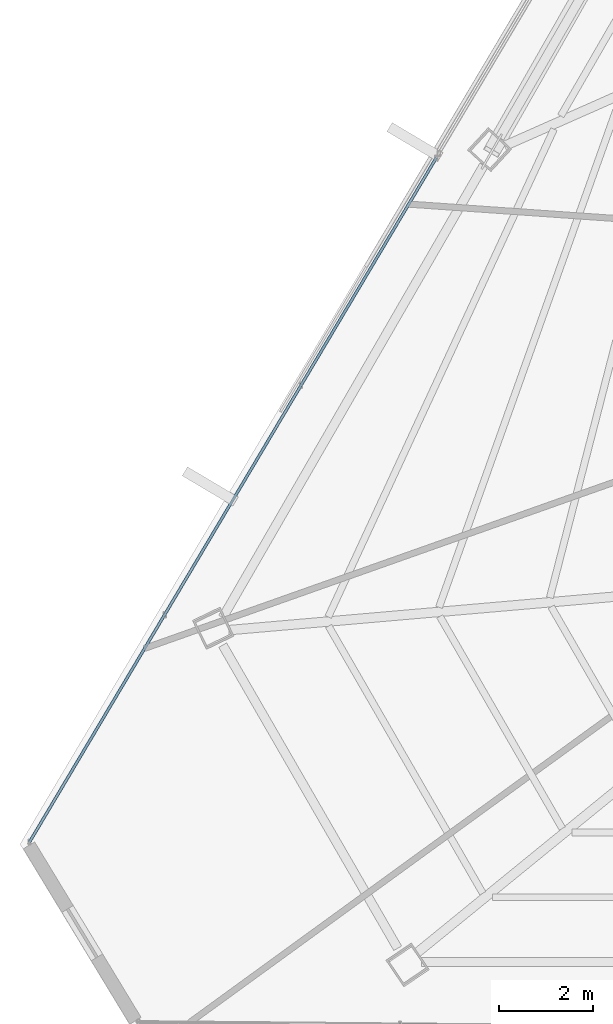
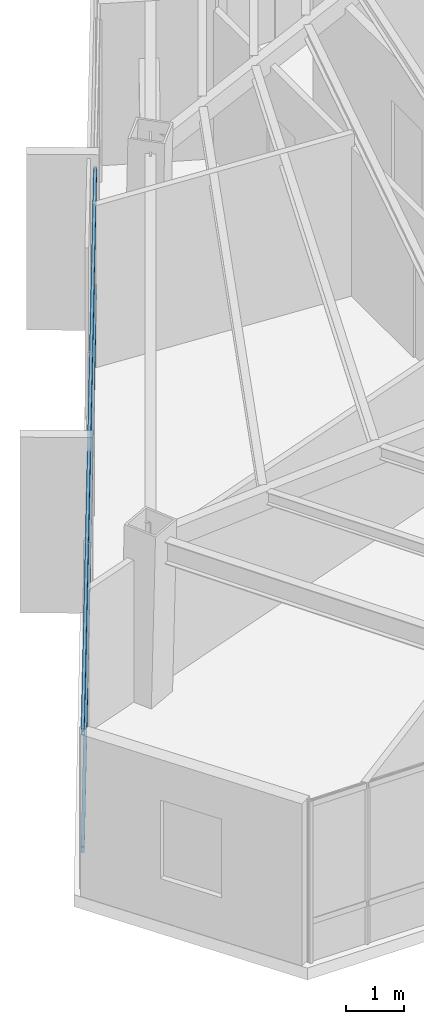
# One storey, part 8 of 42: 2 members, 1 element without a shape of its own.
"""IFC4 building model written with IfcOpenShell, lengths in metres."""

import ifcopenshell
import ifcopenshell.guid

model = None  # the IFC model being written
_history = None  # IfcOwnerHistory: only IFC2X3 demands one
_inside = {}  # id of a spatial element -> (the spatial element, [elements in it])
_under = {}  # id of a project, library or spatial element -> (it, [spatial elements below it])
_declared = {}  # id of a project -> (the project, [libraries it declares])
_typed = {}  # id of a type object -> (the type object, [elements of that type])
_made_of = {}  # id of a material, layer set ... -> (it, [elements and type objects made of it])


def new_model(schema):
    """Start an empty IFC model of exactly this schema.

    Asked for "IFC4X3", IfcOpenShell would pick the latest addendum, in which some entities
    have other attributes; the version numbers below select the first issue.
    IFC2X3 requires an IfcOwnerHistory on every rooted entity: one is made here for all.
    """
    global model, _history
    if schema == "IFC4X3":
        model = ifcopenshell.file(schema_version=(4, 3, 0, 0))
    else:
        model = ifcopenshell.file(schema=schema)
    _inside.clear()
    _under.clear()
    _declared.clear()
    _typed.clear()
    _made_of.clear()
    _history = None
    if model.schema == "IFC2X3":
        org = make("IfcOrganization", Name="unknown")
        user = make(
            "IfcPersonAndOrganization",
            ThePerson=make("IfcPerson", FamilyName="unknown"),
            TheOrganization=org,
        )
        app = make(
            "IfcApplication",
            ApplicationDeveloper=org,
            Version="unknown",
            ApplicationFullName="unknown",
            ApplicationIdentifier="unknown",
        )
        _history = make(
            "IfcOwnerHistory",
            OwningUser=user,
            OwningApplication=app,
            ChangeAction="ADDED",
            CreationDate=0,
        )
    return model


def make(cls, **values):
    """One entity of the class cls with the attributes given. An attribute that is None is left unset."""
    return model.create_entity(
        cls, **{name: value for name, value in values.items() if value is not None}
    )


def rooted(cls, **values):
    """An entity with a GlobalId (a new one), such as an element, a storey or a relation."""
    return make(cls, GlobalId=ifcopenshell.guid.new(), OwnerHistory=_history, **values)


def si_unit(unit_type, name, prefix=None):
    """IfcSIUnit, for example si_unit("LENGTHUNIT", "METRE", prefix="MILLI")."""
    return make("IfcSIUnit", UnitType=unit_type, Prefix=prefix, Name=name)


def assignment(units):
    """IfcUnitAssignment: the units of a project."""
    return None if units is None else make("IfcUnitAssignment", Units=units)


def point(xyz):
    """IfcCartesianPoint."""
    return None if xyz is None else make("IfcCartesianPoint", Coordinates=xyz)


def direction(xyz):
    """IfcDirection."""
    return None if xyz is None else make("IfcDirection", DirectionRatios=xyz)


def frame(location, z_axis=None, x_axis=None):
    """IfcAxis2Placement3D, a coordinate frame: its origin and axes. An axis left out is left unset."""
    return make(
        "IfcAxis2Placement3D",
        Location=point(location),
        Axis=direction(z_axis),
        RefDirection=direction(x_axis),
    )


def frame_2d(location, x_axis=None):
    """IfcAxis2Placement2D, a coordinate frame in the plane: its origin and x axis."""
    return make(
        "IfcAxis2Placement2D", Location=point(location), RefDirection=direction(x_axis)
    )


def origin():
    """The frame at (0, 0, 0) with its axes left unset."""
    return frame((0.0, 0.0, 0.0))


def origin_2d():
    """The frame at (0, 0) in the plane with its x axis left unset."""
    return frame_2d((0.0, 0.0))


def place(relative_to, where):
    """IfcLocalPlacement: puts the frame where relative to a parent placement (None: the world)."""
    return make(
        "IfcLocalPlacement", PlacementRelTo=relative_to, RelativePlacement=where
    )


def context(
    kind, dimensions, precision=None, world=None, true_north=None, identifier=None
):
    """IfcGeometricRepresentationContext, for example the 3D "Model" context."""
    return make(
        "IfcGeometricRepresentationContext",
        ContextIdentifier=identifier,
        ContextType=kind,
        CoordinateSpaceDimension=dimensions,
        Precision=precision,
        WorldCoordinateSystem=world,
        TrueNorth=true_north,
    )


def subcontext(parent, identifier, kind, view, scale=None):
    """IfcGeometricRepresentationSubContext, for example "Body" below "Model"."""
    return make(
        "IfcGeometricRepresentationSubContext",
        ContextIdentifier=identifier,
        ContextType=kind,
        ParentContext=parent,
        TargetScale=scale,
        TargetView=view,
    )


def project(units=None, contexts=None):
    """IfcProject with its units and contexts."""
    return rooted(
        "IfcProject",
        Name="project",
        RepresentationContexts=contexts,
        UnitsInContext=assignment(units),
    )


def spatial(cls, under=None, at=None, **own):
    """A site, building, storey or space (cls), placed at a placement, below another one or the project."""
    s = rooted(cls, ObjectPlacement=at, **own)
    if under is not None:
        _under.setdefault(under.id(), (under, []))[1].append(s)
    return s


def profile(cls, at=None, kind="AREA", **sizes):
    """A parametric profile (cls). Its sizes go by their IFC names, for example OverallWidth=200.0."""
    return make(cls, ProfileType=kind, Position=at, **sizes)


def hollow_rectangle(**sizes):
    """IfcRectangleHollowProfileDef."""
    return profile("IfcRectangleHollowProfileDef", **sizes)


def extrude(swept, where, along, depth):
    """IfcExtrudedAreaSolid: the profile swept, set in the frame where, extruded along a direction by depth."""
    return make(
        "IfcExtrudedAreaSolid",
        SweptArea=swept,
        Position=where,
        ExtrudedDirection=direction(along),
        Depth=depth,
    )


def shape(context_of_items, identifier, shape_type, items):
    """IfcShapeRepresentation: the items that make up one representation, for example the "Body"."""
    return make(
        "IfcShapeRepresentation",
        ContextOfItems=context_of_items,
        RepresentationIdentifier=identifier,
        RepresentationType=shape_type,
        Items=items,
    )


def source(mapping_origin, context_of_items, identifier, shape_type, items):
    """IfcRepresentationMap: a shape defined once, which mapped items show again and again."""
    return make(
        "IfcRepresentationMap",
        MappingOrigin=mapping_origin,
        MappedRepresentation=shape(context_of_items, identifier, shape_type, items),
    )


def transform(
    local_origin,
    x_axis=None,
    y_axis=None,
    z_axis=None,
    scale=None,
    scale2=None,
    scale3=None,
    uniform=True,
):
    """IfcCartesianTransformationOperator3D, or its non-uniform kind. x_axis, y_axis, z_axis: its Axis1, 2, 3."""
    if uniform:
        return make(
            "IfcCartesianTransformationOperator3D",
            Axis1=direction(x_axis),
            Axis2=direction(y_axis),
            LocalOrigin=point(local_origin),
            Scale=scale,
            Axis3=direction(z_axis),
        )
    return make(
        "IfcCartesianTransformationOperator3DnonUniform",
        Axis1=direction(x_axis),
        Axis2=direction(y_axis),
        LocalOrigin=point(local_origin),
        Scale=scale,
        Axis3=direction(z_axis),
        Scale2=scale2,
        Scale3=scale3,
    )


def mapped(mapping_source, mapping_target):
    """IfcMappedItem: shows the shape of a source again, moved by a transform."""
    return make(
        "IfcMappedItem", MappingSource=mapping_source, MappingTarget=mapping_target
    )


def material(Name=None, Category=None):
    """IfcMaterial."""
    return make("IfcMaterial", Name=Name, Category=Category)


def material_profile(
    of_material, cross_section, Name=None, Category=None, Priority=None
):
    """IfcMaterialProfile: a cross section and its material."""
    return make(
        "IfcMaterialProfile",
        Name=Name,
        Material=of_material,
        Profile=cross_section,
        Priority=Priority,
        Category=Category,
    )


def profile_set(profiles, Name=None, composite=None):
    """IfcMaterialProfileSet."""
    return make(
        "IfcMaterialProfileSet",
        Name=Name,
        MaterialProfiles=profiles,
        CompositeProfile=composite,
    )


def made_of(thing, what):
    """Note that an element or type object is made of a material, layer set ...; save() writes the relation."""
    if what is not None:
        _made_of.setdefault(what.id(), (what, []))[1].append(thing)
    return thing


def type_object(cls, material=None, **own):
    """A type object (cls), such as IfcWallType, which elements share."""
    return made_of(rooted(cls, **own), material)


def type_shapes(of_type, sources):
    """Give a type object the sources (RepresentationMaps) that its elements show as mapped items."""
    of_type.RepresentationMaps = sources


def element(
    cls,
    number,
    at=None,
    inside=None,
    cuts=None,
    type_object=None,
    material=None,
    context=None,
    identifier="Body",
    shape_type=None,
    held_by="IfcProductDefinitionShape",
    body=None,
    shapes=None,
    **own,
):
    """One element of the class cls, such as IfcWall. Its Tag is "e" and its number.

    at: its placement. inside: the storey or other place that contains it. cuts: it is an
    opening in that element (IfcRelVoidsElement). A single representation is given by context,
    identifier, shape_type and body (its items); several are given by shapes. held_by: the class
    of the entity that holds the representations. save() writes the other relations.
    """
    e = rooted(cls, Tag="e%d" % number, ObjectPlacement=at, **own)
    if body is not None:
        shapes = [shape(context, identifier, shape_type, body)]
    if shapes is not None:
        e.Representation = make(held_by, Representations=shapes)
    if inside is not None:
        _inside.setdefault(inside.id(), (inside, []))[1].append(e)
    if cuts is not None:
        rooted(
            "IfcRelVoidsElement", RelatingBuildingElement=cuts, RelatedOpeningElement=e
        )
    if type_object is not None:
        _typed.setdefault(type_object.id(), (type_object, []))[1].append(e)
    return made_of(e, material)


def aggregate(whole, parts):
    """IfcRelAggregates: a whole, such as a stair, and the parts it consists of."""
    return rooted("IfcRelAggregates", RelatingObject=whole, RelatedObjects=parts)


def save(model, path):
    """Write the relations noted so far, then the file.

    IfcRelAggregates (storeys below a building ...), IfcRelContainedInSpatialStructure (elements
    in a storey), IfcRelDefinesByType, IfcRelAssociatesMaterial and IfcRelDeclares: one each for
    every whole, place, type object, material and project.
    """
    for whole, parts in _under.values():
        aggregate(whole, parts)
    for where, things in _inside.values():
        rooted(
            "IfcRelContainedInSpatialStructure",
            RelatedElements=things,
            RelatingStructure=where,
        )
    for kind, things in _typed.values():
        rooted("IfcRelDefinesByType", RelatedObjects=things, RelatingType=kind)
    for what, things in _made_of.values():
        rooted("IfcRelAssociatesMaterial", RelatedObjects=things, RelatingMaterial=what)
    for by, libraries in _declared.values():
        rooted("IfcRelDeclares", RelatingContext=by, RelatedDefinitions=libraries)
    model.write(path)


model = new_model("IFC4")

# Units and contexts
model_context = context("Model", 3, precision=1e-05, world=origin(), true_north=direction((0.0, 1.0)))
body_context = subcontext(model_context, "Body", "Model", "MODEL_VIEW")
ifc_project = project(units=[si_unit("LENGTHUNIT", "METRE"), si_unit("AREAUNIT", "SQUARE_METRE"), si_unit("VOLUMEUNIT", "CUBIC_METRE"), si_unit("PLANEANGLEUNIT", "RADIAN"), si_unit("MASSUNIT", "GRAM", prefix="KILO")], contexts=[model_context])

# Site, building, storey
site_placement = place(None, origin())
site = spatial("IfcSite", under=ifc_project, at=site_placement, CompositionType="ELEMENT")
building_placement = place(site_placement, origin())
building = spatial("IfcBuilding", under=site, at=building_placement, Name="Caelisora Broadcast Tower", CompositionType="ELEMENT")
storey_placement = place(building_placement, frame((0.0, 0.0, 244.449951171875)))
storey = spatial("IfcBuildingStorey", under=building, at=storey_placement, Name="L64", CompositionType="ELEMENT", Elevation=244.449951171875)

# Curtain wall, members
ifc_material_1 = material(Name="Unitised Aluminium and Low-E Glass Curtain Wall", Category="glass")
curtain_wall_type = type_object("IfcCurtainWallType", Name="CW-Z5", PredefinedType="NOTDEFINED", material=ifc_material_1)
curtain_wall_placement = place(storey_placement, origin())
curtain_wall = element("IfcCurtainWall", 1, at=curtain_wall_placement, inside=storey, type_object=curtain_wall_type, Name="L64 curtain wall CW-Z5", PredefinedType="NOTDEFINED")
ifc_material_2 = material(Name="Aluminium 6063-T6 Anodised Terracotta Bronze", Category="aluminium")
ifc_material_profile = material_profile(ifc_material_2, hollow_rectangle(XDim=0.06005859375, YDim=0.1201171875, WallThickness=0.0029296875, at=origin_2d()), Name="Aluminium 6063-T6 Anodised Terracotta Bronze")
ifc_profile_set = profile_set([ifc_material_profile], Name="Aluminium 6063-T6 Anodised Terracotta Bronze")
member_type = type_object("IfcMemberType", Name="CWT-03", PredefinedType="USERDEFINED", material=ifc_profile_set)
shared_shape = source(origin(), body_context, "Body", "SweptSolid", [
    extrude(hollow_rectangle(XDim=0.06005859375, YDim=0.1201171875, WallThickness=0.0029296875, at=origin_2d()), origin(), (0.0, 0.0, 1.0), 16.86181640625),
])
type_shapes(member_type, [shared_shape])
member_1_placement = place(storey_placement, frame((12.4296875, 11.7080078125, 0.85009765625), z_axis=(0.511001668468, 0.859579719877, 0.0), x_axis=(-0.859579719877, 0.511001668468, 0.0)))
member_1 = element("IfcMember", 2, at=member_1_placement, type_object=member_type, Name="L64-CW-B09 transom #1", ObjectType="TRANSOM", PredefinedType="USERDEFINED", context=body_context, shape_type="MappedRepresentation", body=[
    mapped(shared_shape, transform((0.0, 0.0, 0.0), scale=1.0)),
])
member_2_placement = place(storey_placement, frame((12.4296875, 11.7080078125, 3.320068359375), z_axis=(0.511001668468, 0.859579719877, 0.0), x_axis=(-0.859579719877, 0.511001668468, 0.0)))
member_2 = element("IfcMember", 3, at=member_2_placement, type_object=member_type, Name="L64-CW-B09 transom #2", ObjectType="TRANSOM", PredefinedType="USERDEFINED", context=body_context, shape_type="MappedRepresentation", body=[
    mapped(shared_shape, transform((0.0, 0.0, 0.0), scale=1.0)),
])
aggregate(curtain_wall, [member_1, member_2])

save(model, "model.ifc")
